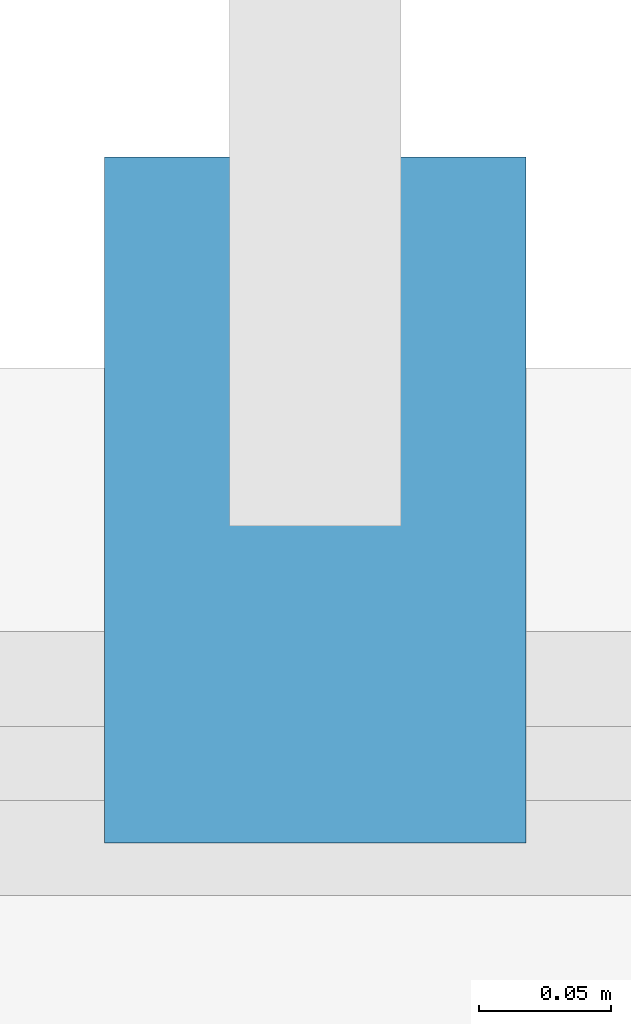
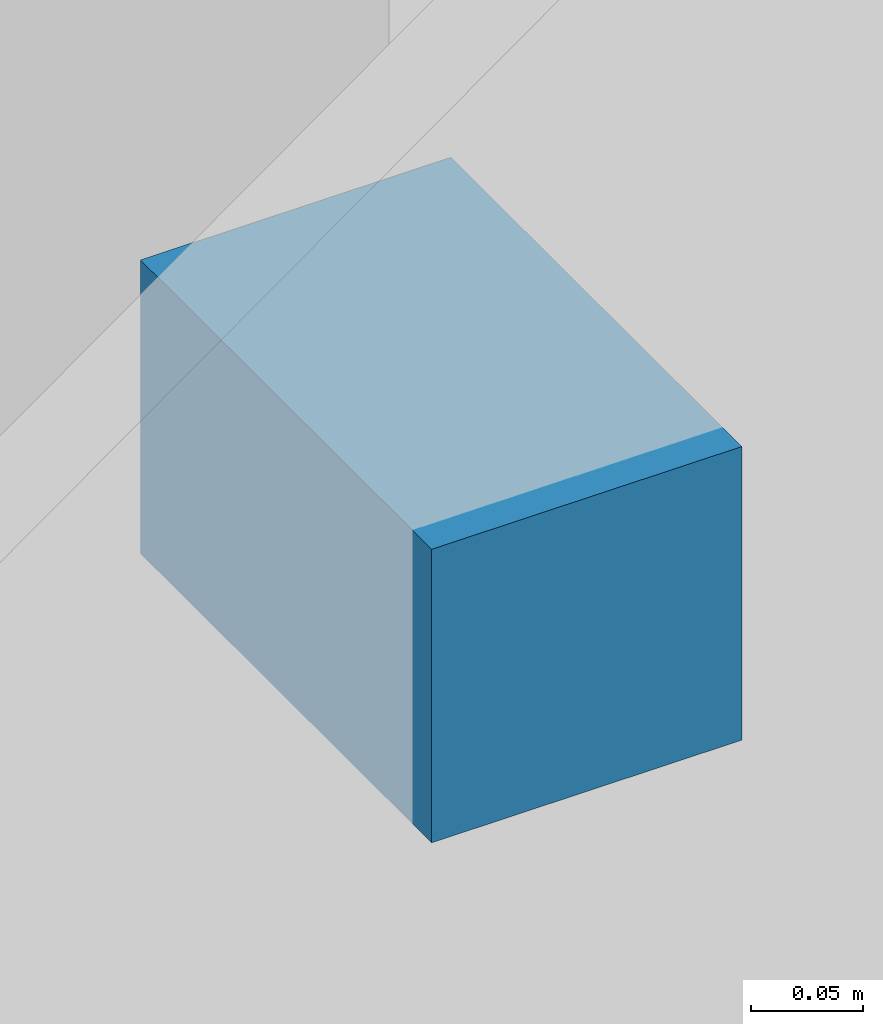
# One storey, part 25 of 30: 1 discrete accessory.
"""IFC4 building model written with IfcOpenShell, lengths in metres."""

from ifc_helpers import new_model, si_unit, direction, frame, origin, origin_2d, place, context, subcontext, project, spatial, rectangle, extrude, material, type_object, element, save


model = new_model("IFC4")

# Units and contexts
model_context = context("Model", 3, precision=1e-05, world=origin(), true_north=direction((0.0, 1.0)))
body_context = subcontext(model_context, "Body", "Model", "MODEL_VIEW")
ifc_project = project(units=[si_unit("LENGTHUNIT", "METRE"), si_unit("AREAUNIT", "SQUARE_METRE"), si_unit("VOLUMEUNIT", "CUBIC_METRE"), si_unit("PLANEANGLEUNIT", "RADIAN"), si_unit("MASSUNIT", "GRAM", prefix="KILO")], contexts=[model_context])

# Site, building, storey
site_placement = place(None, origin())
site = spatial("IfcSite", under=ifc_project, at=site_placement, CompositionType="ELEMENT")
building_placement = place(site_placement, origin())
building = spatial("IfcBuilding", under=site, at=building_placement, Name="Khorvyn Point Tower", CompositionType="ELEMENT")
storey_placement = place(building_placement, frame((0.0, 0.0, 57.89990234375)))
storey = spatial("IfcBuildingStorey", under=building, at=storey_placement, Name="L15", CompositionType="ELEMENT", Elevation=57.89990234375)

# Discrete accessory
ifc_material = material(Name="Stainless steel 1.4401", Category="steel")
discrete_accessory_type = type_object("IfcDiscreteAccessoryType", Name="Stainless Steel 316 Facade Fin Fixing Bracket", PredefinedType="BRACKET", material=ifc_material)
discrete_accessory_placement = place(storey_placement, frame((-2.89990234375, 25.14990234375, 1.76025390625), z_axis=(0.0, 0.0, 1.0), x_axis=(1.0, 0.0, 0.0)))
element("IfcDiscreteAccessory", 1, at=discrete_accessory_placement, inside=storey, type_object=discrete_accessory_type, Name="L15 Solar Fin Fixing Bracket 01", PredefinedType="BRACKET", context=body_context, shape_type="SweptSolid", body=[
    extrude(rectangle(XDim=0.159912109375, YDim=0.260009765625, at=origin_2d()), origin(), (0.0, 0.0, 1.0), 0.159912109375),
])

save(model, "model.ifc")
